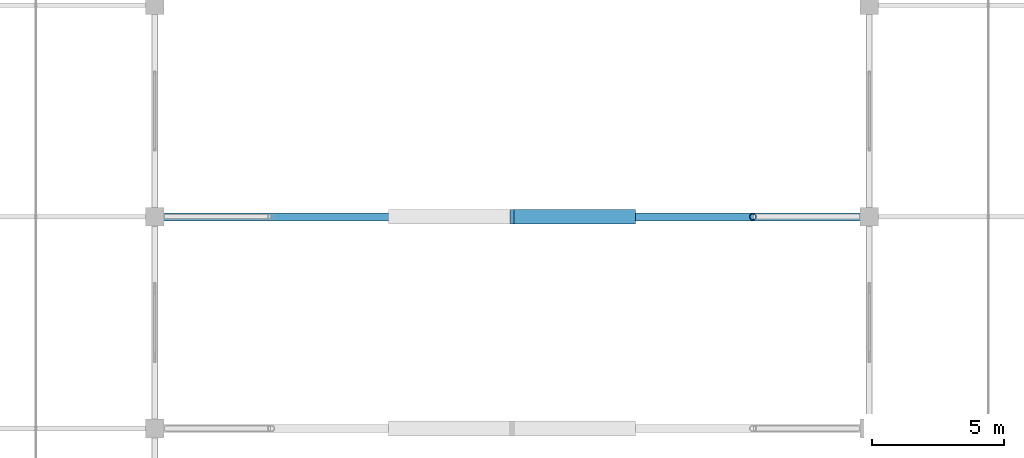
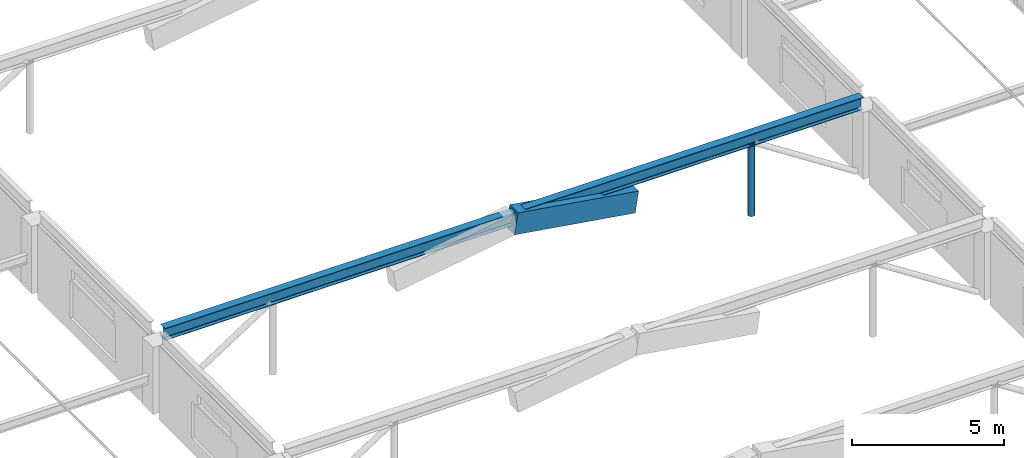
# One storey, part 28 of 128: 2 members, 1 beam.
"""IFC4 building model written with IfcOpenShell, lengths in metres."""

from ifc_helpers import new_model, si_unit, derived_unit, direction, frame, origin, origin_2d, place, context, subcontext, project, spatial, rectangle, hollow_circle, i_section, extrude, material, material_profile, profile_set, type_object, element, save


model = new_model("IFC4")

# Units and contexts
model_context = context("Model", 3, precision=1e-05, world=origin(), true_north=direction((0.0, 1.0)))
body_context = subcontext(model_context, "Body", "Model", "MODEL_VIEW")
ifc_project = project(units=[si_unit("LENGTHUNIT", "METRE"), si_unit("AREAUNIT", "SQUARE_METRE"), si_unit("VOLUMEUNIT", "CUBIC_METRE"), si_unit("PLANEANGLEUNIT", "RADIAN"), si_unit("MASSUNIT", "GRAM", prefix="KILO"), derived_unit("THERMALTRANSMITTANCEUNIT", [(si_unit("MASSUNIT", "GRAM", prefix="KILO"), 1), (si_unit("TIMEUNIT", "SECOND"), -3), (si_unit("THERMODYNAMICTEMPERATUREUNIT", "KELVIN"), -1)])], contexts=[model_context])

# Site, building, storey
site_placement = place(None, origin())
site = spatial("IfcSite", under=ifc_project, at=site_placement, CompositionType="ELEMENT")
building_placement = place(site_placement, origin())
building = spatial("IfcBuilding", under=site, at=building_placement, Name="Zhenchuan Archway Interchange", CompositionType="ELEMENT")
storey_placement = place(building_placement, frame((0.0, 0.0, 14.39990234375)))
storey = spatial("IfcBuildingStorey", under=building, at=storey_placement, Name="L03", CompositionType="ELEMENT", Elevation=14.39990234375)

# Beam
ifc_material_1 = material(Name="Concrete C50", Category="concrete")
ifc_material_profile_1 = material_profile(ifc_material_1, rectangle(XDim=0.550048828125, YDim=0.85009765625, at=origin_2d()), Name="RC 550x850")
ifc_profile_set_1 = profile_set([ifc_material_profile_1], Name="Concrete C50")
beam_type = type_object("IfcBeamType", Name="BM_RC_ARCH_550x850", PredefinedType="BEAM", material=ifc_profile_set_1)
beam_placement = place(storey_placement, frame((49.501953125, 48.0, 2.77978515625), z_axis=(0.987636302069, 0.0, -0.156762670416), x_axis=(0.0, 1.0, 0.0)))
element("IfcBeam", 1, at=beam_placement, inside=storey, type_object=beam_type, Name="Parabolic RC concourse arch A3 segment 4", PredefinedType="BEAM", context=body_context, shape_type="SweptSolid", body=[
    extrude(rectangle(XDim=0.550048828125, YDim=0.85009765625, at=origin_2d()), origin(), (0.0, 0.0, 1.0), 4.653564453125),
])

# Members
ifc_material_2 = material(Name="Steel Q390", Category="steel")
ifc_material_profile_2 = material_profile(ifc_material_2, i_section(OverallWidth=0.300048828125, OverallDepth=0.488037109375, WebThickness=0.010986328125, FlangeThickness=0.01806640625, FilletRadius=0.02197265625, at=origin_2d()), Name="HM 488x300")
ifc_profile_set_2 = profile_set([ifc_material_profile_2], Name="Steel Q390")
member_type_1 = type_object("IfcMemberType", Name="MB_CHD_HM488", PredefinedType="CHORD", material=ifc_profile_set_2)
member_1_placement = place(storey_placement, frame((36.219970703125, 48.0, 2.900146484375), z_axis=(1.0, 0.0, 0.0), x_axis=(0.0, 1.0, 0.0)))
element("IfcMember", 2, at=member_1_placement, inside=storey, type_object=member_type_1, Name="ROOF TRUSS concourse arch A3 clerestory tie girder", PredefinedType="CHORD", context=body_context, shape_type="SweptSolid", body=[
    extrude(i_section(OverallWidth=0.300048828125, OverallDepth=0.488037109375, WebThickness=0.010986328125, FlangeThickness=0.01806640625, FilletRadius=0.02197265625, at=origin_2d()), origin(), (0.0, 0.0, 1.0), 26.56005859375),
])
ifc_material_3 = material(Name="Steel Q355", Category="steel")
ifc_material_profile_3 = material_profile(ifc_material_3, hollow_circle(Radius=0.12255859375, WallThickness=0.010009765625, at=origin_2d()), Name="CHS 245x10")
ifc_profile_set_3 = profile_set([ifc_material_profile_3], Name="Steel Q355")
member_type_2 = type_object("IfcMemberType", Name="MB_CHS245", PredefinedType="BRACE", material=ifc_profile_set_3)
member_2_placement = place(storey_placement, frame((58.60009765625, 48.0, -0.199951171875), z_axis=(0.0, 0.0, 1.0), x_axis=(1.0, 0.0, 0.0)))
element("IfcMember", 3, at=member_2_placement, inside=storey, type_object=member_type_2, Name="ROOF TRUSS concourse arch A3 spandrel post 5", PredefinedType="BRACE", context=body_context, shape_type="SweptSolid", body=[
    extrude(hollow_circle(Radius=0.12255859375, WallThickness=0.010009765625, at=origin_2d()), origin(), (0.0, 0.0, 1.0), 2.920166015625),
])

save(model, "model.ifc")
